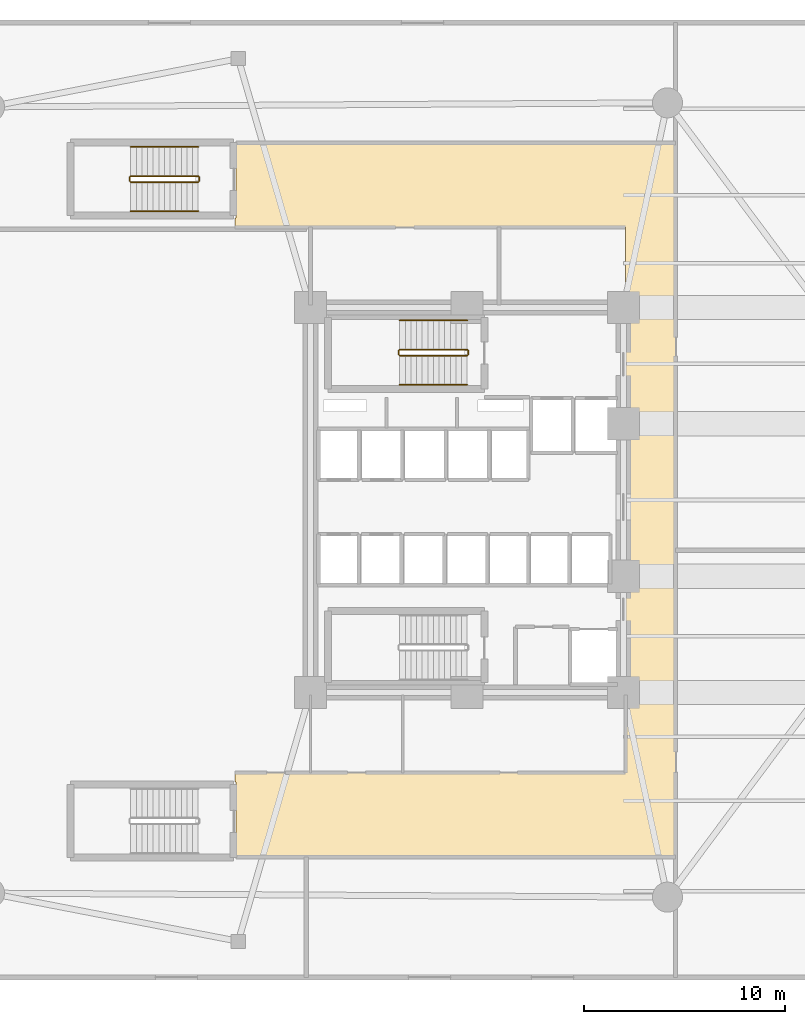
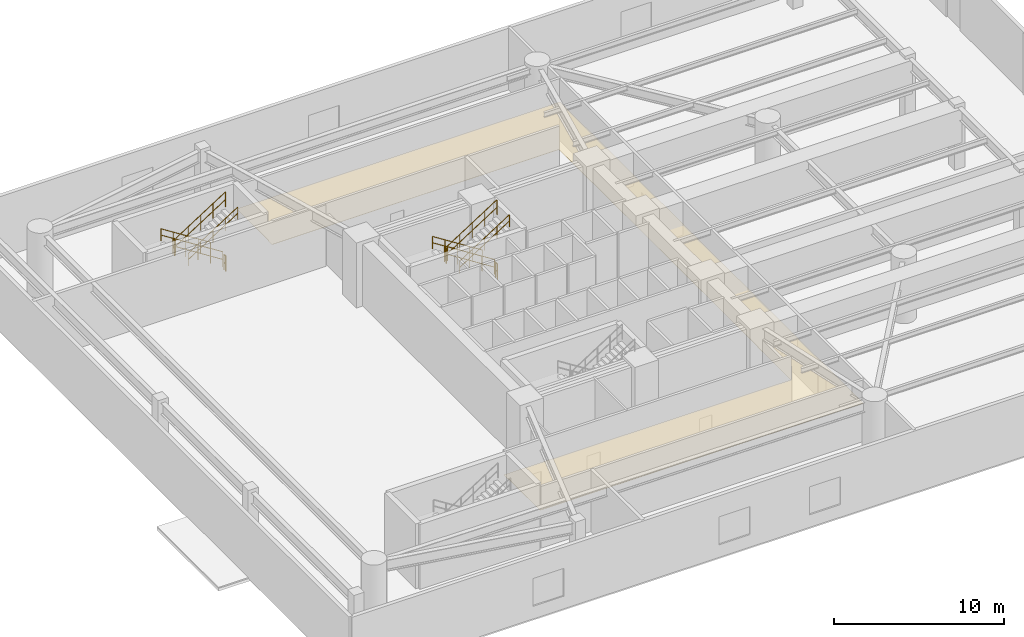
# One storey, part 10 of 11: 12 railings, 1 covering.
"""IFC4 building model written with IfcOpenShell, lengths in metres."""

import ifcopenshell
import ifcopenshell.guid

model = None  # the IFC model being written
_history = None  # IfcOwnerHistory: only IFC2X3 demands one
_inside = {}  # id of a spatial element -> (the spatial element, [elements in it])
_under = {}  # id of a project, library or spatial element -> (it, [spatial elements below it])
_declared = {}  # id of a project -> (the project, [libraries it declares])
_typed = {}  # id of a type object -> (the type object, [elements of that type])
_made_of = {}  # id of a material, layer set ... -> (it, [elements and type objects made of it])


def new_model(schema):
    """Start an empty IFC model of exactly this schema.

    Asked for "IFC4X3", IfcOpenShell would pick the latest addendum, in which some entities
    have other attributes; the version numbers below select the first issue.
    IFC2X3 requires an IfcOwnerHistory on every rooted entity: one is made here for all.
    """
    global model, _history
    if schema == "IFC4X3":
        model = ifcopenshell.file(schema_version=(4, 3, 0, 0))
    else:
        model = ifcopenshell.file(schema=schema)
    _inside.clear()
    _under.clear()
    _declared.clear()
    _typed.clear()
    _made_of.clear()
    _history = None
    if model.schema == "IFC2X3":
        org = make("IfcOrganization", Name="unknown")
        user = make(
            "IfcPersonAndOrganization",
            ThePerson=make("IfcPerson", FamilyName="unknown"),
            TheOrganization=org,
        )
        app = make(
            "IfcApplication",
            ApplicationDeveloper=org,
            Version="unknown",
            ApplicationFullName="unknown",
            ApplicationIdentifier="unknown",
        )
        _history = make(
            "IfcOwnerHistory",
            OwningUser=user,
            OwningApplication=app,
            ChangeAction="ADDED",
            CreationDate=0,
        )
    return model


def make(cls, **values):
    """One entity of the class cls with the attributes given. An attribute that is None is left unset."""
    return model.create_entity(
        cls, **{name: value for name, value in values.items() if value is not None}
    )


def rooted(cls, **values):
    """An entity with a GlobalId (a new one), such as an element, a storey or a relation."""
    return make(cls, GlobalId=ifcopenshell.guid.new(), OwnerHistory=_history, **values)


def si_unit(unit_type, name, prefix=None):
    """IfcSIUnit, for example si_unit("LENGTHUNIT", "METRE", prefix="MILLI")."""
    return make("IfcSIUnit", UnitType=unit_type, Prefix=prefix, Name=name)


def assignment(units):
    """IfcUnitAssignment: the units of a project."""
    return None if units is None else make("IfcUnitAssignment", Units=units)


def point(xyz):
    """IfcCartesianPoint."""
    return None if xyz is None else make("IfcCartesianPoint", Coordinates=xyz)


def direction(xyz):
    """IfcDirection."""
    return None if xyz is None else make("IfcDirection", DirectionRatios=xyz)


def frame(location, z_axis=None, x_axis=None):
    """IfcAxis2Placement3D, a coordinate frame: its origin and axes. An axis left out is left unset."""
    return make(
        "IfcAxis2Placement3D",
        Location=point(location),
        Axis=direction(z_axis),
        RefDirection=direction(x_axis),
    )


def frame_2d(location, x_axis=None):
    """IfcAxis2Placement2D, a coordinate frame in the plane: its origin and x axis."""
    return make(
        "IfcAxis2Placement2D", Location=point(location), RefDirection=direction(x_axis)
    )


def origin():
    """The frame at (0, 0, 0) with its axes left unset."""
    return frame((0.0, 0.0, 0.0))


def origin_2d():
    """The frame at (0, 0) in the plane with its x axis left unset."""
    return frame_2d((0.0, 0.0))


def place(relative_to, where):
    """IfcLocalPlacement: puts the frame where relative to a parent placement (None: the world)."""
    return make(
        "IfcLocalPlacement", PlacementRelTo=relative_to, RelativePlacement=where
    )


def context(
    kind, dimensions, precision=None, world=None, true_north=None, identifier=None
):
    """IfcGeometricRepresentationContext, for example the 3D "Model" context."""
    return make(
        "IfcGeometricRepresentationContext",
        ContextIdentifier=identifier,
        ContextType=kind,
        CoordinateSpaceDimension=dimensions,
        Precision=precision,
        WorldCoordinateSystem=world,
        TrueNorth=true_north,
    )


def subcontext(parent, identifier, kind, view, scale=None):
    """IfcGeometricRepresentationSubContext, for example "Body" below "Model"."""
    return make(
        "IfcGeometricRepresentationSubContext",
        ContextIdentifier=identifier,
        ContextType=kind,
        ParentContext=parent,
        TargetScale=scale,
        TargetView=view,
    )


def project(units=None, contexts=None):
    """IfcProject with its units and contexts."""
    return rooted(
        "IfcProject",
        Name="project",
        RepresentationContexts=contexts,
        UnitsInContext=assignment(units),
    )


def spatial(cls, under=None, at=None, **own):
    """A site, building, storey or space (cls), placed at a placement, below another one or the project."""
    s = rooted(cls, ObjectPlacement=at, **own)
    if under is not None:
        _under.setdefault(under.id(), (under, []))[1].append(s)
    return s


def polyline(points):
    """IfcPolyline through the points."""
    return make("IfcPolyline", Points=[point(p) for p in points])


def profile(cls, at=None, kind="AREA", **sizes):
    """A parametric profile (cls). Its sizes go by their IFC names, for example OverallWidth=200.0."""
    return make(cls, ProfileType=kind, Position=at, **sizes)


def circle(**sizes):
    """IfcCircleProfileDef."""
    return profile("IfcCircleProfileDef", **sizes)


def outline(outer, holes=None, kind="AREA"):
    """IfcArbitraryClosedProfileDef: a profile drawn as a closed curve; with holes, ...WithVoids."""
    if holes is None:
        return make("IfcArbitraryClosedProfileDef", ProfileType=kind, OuterCurve=outer)
    return make(
        "IfcArbitraryProfileDefWithVoids",
        ProfileType=kind,
        OuterCurve=outer,
        InnerCurves=holes,
    )


def extrude(swept, where, along, depth):
    """IfcExtrudedAreaSolid: the profile swept, set in the frame where, extruded along a direction by depth."""
    return make(
        "IfcExtrudedAreaSolid",
        SweptArea=swept,
        Position=where,
        ExtrudedDirection=direction(along),
        Depth=depth,
    )


def shape(context_of_items, identifier, shape_type, items):
    """IfcShapeRepresentation: the items that make up one representation, for example the "Body"."""
    return make(
        "IfcShapeRepresentation",
        ContextOfItems=context_of_items,
        RepresentationIdentifier=identifier,
        RepresentationType=shape_type,
        Items=items,
    )


def material(Name=None, Category=None):
    """IfcMaterial."""
    return make("IfcMaterial", Name=Name, Category=Category)


def layer(
    of_material, thickness, ventilated=None, Name=None, Category=None, Priority=None
):
    """IfcMaterialLayer: one layer of a wall or slab, of a material (None: an air gap)."""
    return make(
        "IfcMaterialLayer",
        Material=of_material,
        LayerThickness=thickness,
        IsVentilated=ventilated,
        Name=Name,
        Category=Category,
        Priority=Priority,
    )


def layer_set(layers, Name=None):
    """IfcMaterialLayerSet."""
    return make("IfcMaterialLayerSet", MaterialLayers=layers, LayerSetName=Name)


def made_of(thing, what):
    """Note that an element or type object is made of a material, layer set ...; save() writes the relation."""
    if what is not None:
        _made_of.setdefault(what.id(), (what, []))[1].append(thing)
    return thing


def type_object(cls, material=None, **own):
    """A type object (cls), such as IfcWallType, which elements share."""
    return made_of(rooted(cls, **own), material)


def element(
    cls,
    number,
    at=None,
    inside=None,
    cuts=None,
    type_object=None,
    material=None,
    context=None,
    identifier="Body",
    shape_type=None,
    held_by="IfcProductDefinitionShape",
    body=None,
    shapes=None,
    **own,
):
    """One element of the class cls, such as IfcWall. Its Tag is "e" and its number.

    at: its placement. inside: the storey or other place that contains it. cuts: it is an
    opening in that element (IfcRelVoidsElement). A single representation is given by context,
    identifier, shape_type and body (its items); several are given by shapes. held_by: the class
    of the entity that holds the representations. save() writes the other relations.
    """
    e = rooted(cls, Tag="e%d" % number, ObjectPlacement=at, **own)
    if body is not None:
        shapes = [shape(context, identifier, shape_type, body)]
    if shapes is not None:
        e.Representation = make(held_by, Representations=shapes)
    if inside is not None:
        _inside.setdefault(inside.id(), (inside, []))[1].append(e)
    if cuts is not None:
        rooted(
            "IfcRelVoidsElement", RelatingBuildingElement=cuts, RelatedOpeningElement=e
        )
    if type_object is not None:
        _typed.setdefault(type_object.id(), (type_object, []))[1].append(e)
    return made_of(e, material)


def aggregate(whole, parts):
    """IfcRelAggregates: a whole, such as a stair, and the parts it consists of."""
    return rooted("IfcRelAggregates", RelatingObject=whole, RelatedObjects=parts)


def save(model, path):
    """Write the relations noted so far, then the file.

    IfcRelAggregates (storeys below a building ...), IfcRelContainedInSpatialStructure (elements
    in a storey), IfcRelDefinesByType, IfcRelAssociatesMaterial and IfcRelDeclares: one each for
    every whole, place, type object, material and project.
    """
    for whole, parts in _under.values():
        aggregate(whole, parts)
    for where, things in _inside.values():
        rooted(
            "IfcRelContainedInSpatialStructure",
            RelatedElements=things,
            RelatingStructure=where,
        )
    for kind, things in _typed.values():
        rooted("IfcRelDefinesByType", RelatedObjects=things, RelatingType=kind)
    for what, things in _made_of.values():
        rooted("IfcRelAssociatesMaterial", RelatedObjects=things, RelatingMaterial=what)
    for by, libraries in _declared.values():
        rooted("IfcRelDeclares", RelatingContext=by, RelatedDefinitions=libraries)
    model.write(path)


model = new_model("IFC4")

# Units and contexts
model_context = context("Model", 3, precision=1e-05, world=origin(), true_north=direction((0.0, 1.0)))
body_context = subcontext(model_context, "Body", "Model", "MODEL_VIEW")
ifc_project = project(units=[si_unit("LENGTHUNIT", "METRE"), si_unit("AREAUNIT", "SQUARE_METRE"), si_unit("VOLUMEUNIT", "CUBIC_METRE"), si_unit("PLANEANGLEUNIT", "RADIAN"), si_unit("MASSUNIT", "GRAM", prefix="KILO")], contexts=[model_context])

# Site, building, storey
site_placement = place(None, origin())
site = spatial("IfcSite", under=ifc_project, at=site_placement, CompositionType="ELEMENT")
building_placement = place(site_placement, origin())
building = spatial("IfcBuilding", under=site, at=building_placement, Name="An Khanh Terracotta Commons", CompositionType="ELEMENT")
storey_placement = place(building_placement, frame((0.0, 0.0, 19.35009765625)))
storey = spatial("IfcBuildingStorey", under=building, at=storey_placement, Name="L05", CompositionType="ELEMENT", Elevation=19.35009765625)

# Covering
ifc_material_1 = material(Name="Perforated Mineral-Fibre Acoustic Tile")
ifc_layer = layer(ifc_material_1, 0.02001953125, Name="Perforated Mineral-Fibre Acoustic Tile")
ifc_layer_set = layer_set([ifc_layer], Name="Perforated Mineral-Fibre Acoustic Tile")
covering_type = type_object("IfcCoveringType", Name="CEIL-ACOUSTIC-18", PredefinedType="CEILING", material=ifc_layer_set)
covering_placement = place(storey_placement, frame((0.0, 0.0, 2.64990234375)))
element("IfcCovering", 1, at=covering_placement, inside=storey, type_object=covering_type, Name="L05 Gallery Ceiling", PredefinedType="CEILING", context=body_context, shape_type="SweptSolid", body=[
    extrude(outline(polyline([(17.889892578125, 6.199951171875), (17.889892578125, 9.93994140625), (17.85009765625, 9.93994140625), (17.85009765625, 10.39990234375), (37.300048828125, 10.39990234375), (37.300048828125, 14.280029296875), (37.320068359375, 14.280029296875), (37.320068359375, 33.719970703125), (37.300048828125, 33.719970703125), (37.300048828125, 37.60009765625), (17.85009765625, 37.60009765625), (17.85009765625, 38.06005859375), (17.889892578125, 38.06005859375), (17.889892578125, 41.800048828125), (39.800048828125, 41.800048828125), (39.800048828125, 40.0), (39.800048828125, 37.60009765625), (39.800048828125, 10.39990234375), (39.800048828125, 8.0), (39.800048828125, 6.199951171875), (17.889892578125, 6.199951171875)])), origin(), (0.0, 0.0, 1.0), 0.02001953125),
])

# Railings
ifc_material_2 = material(Name="Brushed Stainless Steel 316", Category="steel")
railing_type_1 = type_object("IfcRailingType", Name="RAIL-HANDRAIL-900", PredefinedType="HANDRAIL", material=ifc_material_2)
railing_1_placement = place(storey_placement, frame((29.409912109375, 32.949951171875, 0.1787109375)))
element("IfcRailing", 2, at=railing_1_placement, inside=storey, type_object=railing_type_1, Name="L05 ST-01 stair handrail 1", PredefinedType="HANDRAIL", context=body_context, shape_type="SweptSolid", body=[
    extrude(circle(Radius=0.02392578125, at=origin_2d()), frame((0.0, 0.0, 0.8759765625), z_axis=(-0.842734844946, 0.0, 0.538328878209), x_axis=(0.0, -1.0, 0.0)), (0.0, 0.0, 1.0), 3.98681640625),
    extrude(circle(Radius=0.02392578125, at=origin_2d()), frame((0.0, 0.0, 0.42578125), z_axis=(-0.842734844946, 0.0, 0.538328878209), x_axis=(0.0, -1.0, 0.0)), (0.0, 0.0, 1.0), 3.98681640625),
    extrude(circle(Radius=0.02099609375, at=origin_2d()), origin(), (0.0, 0.0, 1.0), 0.851806640625),
    extrude(circle(Radius=0.02099609375, at=origin_2d()), frame((-0.83984375, 0.0, 0.53662109375)), (0.0, 0.0, 1.0), 0.851806640625),
    extrude(circle(Radius=0.02099609375, at=origin_2d()), frame((-1.679931640625, 0.0, 1.0732421875)), (0.0, 0.0, 1.0), 0.851806640625),
    extrude(circle(Radius=0.02099609375, at=origin_2d()), frame((-2.52001953125, 0.0, 1.609619140625)), (0.0, 0.0, 1.0), 0.851806640625),
    extrude(circle(Radius=0.02099609375, at=origin_2d()), frame((-3.35986328125, 0.0, 2.146240234375)), (0.0, 0.0, 1.0), 0.851806640625),
])
railing_2_placement = place(storey_placement, frame((26.050048828125, 29.75, 2.503662109375)))
element("IfcRailing", 3, at=railing_2_placement, inside=storey, type_object=railing_type_1, Name="L05 ST-01 stair handrail 2", PredefinedType="HANDRAIL", context=body_context, shape_type="SweptSolid", body=[
    extrude(circle(Radius=0.02392578125, at=origin_2d()), frame((0.0, 0.0, 0.8759765625), z_axis=(0.842734844946, 0.0, 0.538328878209), x_axis=(0.0, 1.0, 0.0)), (0.0, 0.0, 1.0), 3.98681640625),
    extrude(circle(Radius=0.02392578125, at=origin_2d()), frame((0.0, 0.0, 0.42578125), z_axis=(0.842734844946, 0.0, 0.538328878209), x_axis=(0.0, 1.0, 0.0)), (0.0, 0.0, 1.0), 3.98681640625),
    extrude(circle(Radius=0.02099609375, at=origin_2d()), origin(), (0.0, 0.0, 1.0), 0.851806640625),
    extrude(circle(Radius=0.02099609375, at=origin_2d()), frame((0.83984375, 0.0, 0.53662109375)), (0.0, 0.0, 1.0), 0.851806640625),
    extrude(circle(Radius=0.02099609375, at=origin_2d()), frame((1.679931640625, 0.0, 1.0732421875)), (0.0, 0.0, 1.0), 0.851806640625),
    extrude(circle(Radius=0.02099609375, at=origin_2d()), frame((2.52001953125, 0.0, 1.609619140625)), (0.0, 0.0, 1.0), 0.851806640625),
    extrude(circle(Radius=0.02099609375, at=origin_2d()), frame((3.35986328125, 0.0, 2.146240234375)), (0.0, 0.0, 1.0), 0.851806640625),
])
railing_3_placement = place(storey_placement, frame((16.0, 41.60009765625, 0.1787109375)))
element("IfcRailing", 4, at=railing_3_placement, inside=storey, type_object=railing_type_1, Name="L05 ST-P2 stair handrail 1", PredefinedType="HANDRAIL", context=body_context, shape_type="SweptSolid", body=[
    extrude(circle(Radius=0.02392578125, at=origin_2d()), frame((0.0, 0.0, 0.8759765625), z_axis=(-0.842752589747, 0.0, 0.538301098341), x_axis=(0.0, -1.0, 0.0)), (0.0, 0.0, 1.0), 3.987060546875),
    extrude(circle(Radius=0.02392578125, at=origin_2d()), frame((0.0, 0.0, 0.42578125), z_axis=(-0.842752589747, 0.0, 0.538301098341), x_axis=(0.0, -1.0, 0.0)), (0.0, 0.0, 1.0), 3.987060546875),
    extrude(circle(Radius=0.02099609375, at=origin_2d()), origin(), (0.0, 0.0, 1.0), 0.851806640625),
    extrude(circle(Radius=0.02099609375, at=origin_2d()), frame((-0.840087890625, 0.0, 0.53662109375)), (0.0, 0.0, 1.0), 0.851806640625),
    extrude(circle(Radius=0.02099609375, at=origin_2d()), frame((-1.68017578125, 0.0, 1.0732421875)), (0.0, 0.0, 1.0), 0.851806640625),
    extrude(circle(Radius=0.02099609375, at=origin_2d()), frame((-2.52001953125, 0.0, 1.609619140625)), (0.0, 0.0, 1.0), 0.851806640625),
    extrude(circle(Radius=0.02099609375, at=origin_2d()), frame((-3.360107421875, 0.0, 2.146240234375)), (0.0, 0.0, 1.0), 0.851806640625),
])
railing_4_placement = place(storey_placement, frame((12.639892578125, 38.39990234375, 2.503662109375)))
element("IfcRailing", 5, at=railing_4_placement, inside=storey, type_object=railing_type_1, Name="L05 ST-P2 stair handrail 2", PredefinedType="HANDRAIL", context=body_context, shape_type="SweptSolid", body=[
    extrude(circle(Radius=0.02392578125, at=origin_2d()), frame((0.0, 0.0, 0.8759765625), z_axis=(0.842752589747, 0.0, 0.538301098341), x_axis=(0.0, 1.0, 0.0)), (0.0, 0.0, 1.0), 3.987060546875),
    extrude(circle(Radius=0.02392578125, at=origin_2d()), frame((0.0, 0.0, 0.42578125), z_axis=(0.842752589747, 0.0, 0.538301098341), x_axis=(0.0, 1.0, 0.0)), (0.0, 0.0, 1.0), 3.987060546875),
    extrude(circle(Radius=0.02099609375, at=origin_2d()), origin(), (0.0, 0.0, 1.0), 0.851806640625),
    extrude(circle(Radius=0.02099609375, at=origin_2d()), frame((0.840087890625, 0.0, 0.53662109375)), (0.0, 0.0, 1.0), 0.851806640625),
    extrude(circle(Radius=0.02099609375, at=origin_2d()), frame((1.68017578125, 0.0, 1.0732421875)), (0.0, 0.0, 1.0), 0.851806640625),
    extrude(circle(Radius=0.02099609375, at=origin_2d()), frame((2.52001953125, 0.0, 1.609619140625)), (0.0, 0.0, 1.0), 0.851806640625),
    extrude(circle(Radius=0.02099609375, at=origin_2d()), frame((3.360107421875, 0.0, 2.146240234375)), (0.0, 0.0, 1.0), 0.851806640625),
])
ifc_material_3 = material(Name="Powder-Coated Steel S355J2", Category="steel")
railing_type_2 = type_object("IfcRailingType", Name="RAIL-STAIR-GUARD-1100", PredefinedType="BALUSTRADE", material=ifc_material_3)
railing_5_placement = place(storey_placement, frame((29.409912109375, 31.5, 0.1787109375)))
element("IfcRailing", 6, at=railing_5_placement, inside=storey, type_object=railing_type_2, Name="L05 ST-01 stair guard 1", PredefinedType="BALUSTRADE", context=body_context, shape_type="SweptSolid", body=[
    extrude(circle(Radius=0.02392578125, at=origin_2d()), frame((0.0, 0.0, 1.076171875), z_axis=(-0.842734844946, 0.0, 0.538328878209), x_axis=(0.0, -1.0, 0.0)), (0.0, 0.0, 1.0), 3.98681640625),
    extrude(circle(Radius=0.02392578125, at=origin_2d()), frame((0.0, 0.0, 0.52587890625), z_axis=(-0.842734844946, 0.0, 0.538328878209), x_axis=(0.0, -1.0, 0.0)), (0.0, 0.0, 1.0), 3.98681640625),
    extrude(circle(Radius=0.02099609375, at=origin_2d()), origin(), (0.0, 0.0, 1.0), 1.052001953125),
    extrude(circle(Radius=0.02099609375, at=origin_2d()), frame((-0.83984375, 0.0, 0.53662109375)), (0.0, 0.0, 1.0), 1.052001953125),
    extrude(circle(Radius=0.02099609375, at=origin_2d()), frame((-1.679931640625, 0.0, 1.0732421875)), (0.0, 0.0, 1.0), 1.052001953125),
    extrude(circle(Radius=0.02099609375, at=origin_2d()), frame((-2.52001953125, 0.0, 1.609619140625)), (0.0, 0.0, 1.0), 1.052001953125),
    extrude(circle(Radius=0.02099609375, at=origin_2d()), frame((-3.35986328125, 0.0, 2.146240234375)), (0.0, 0.0, 1.0), 1.052001953125),
])
railing_6_placement = place(storey_placement, frame((26.0, 31.449951171875, 2.324951171875)))
element("IfcRailing", 7, at=railing_6_placement, inside=storey, type_object=railing_type_2, Name="L05 ST-01 stair guard 2", PredefinedType="BALUSTRADE", context=body_context, shape_type="SweptSolid", body=[
    extrude(circle(Radius=0.02392578125, at=origin_2d()), frame((0.0, 0.0, 1.076171875), z_axis=(0.0, -1.0, 0.0), x_axis=(1.0, 0.0, 0.0)), (0.0, 0.0, 1.0), 0.199951171875),
    extrude(circle(Radius=0.02392578125, at=origin_2d()), frame((0.0, 0.0, 0.52587890625), z_axis=(0.0, -1.0, 0.0), x_axis=(1.0, 0.0, 0.0)), (0.0, 0.0, 1.0), 0.199951171875),
    extrude(circle(Radius=0.02099609375, at=origin_2d()), origin(), (0.0, 0.0, 1.0), 1.052001953125),
    extrude(circle(Radius=0.02099609375, at=origin_2d()), frame((0.0, -0.199951171875, 0.0)), (0.0, 0.0, 1.0), 1.052001953125),
])
railing_7_placement = place(storey_placement, frame((26.050048828125, 31.199951171875, 2.503662109375)))
element("IfcRailing", 8, at=railing_7_placement, inside=storey, type_object=railing_type_2, Name="L05 ST-01 stair guard 3", PredefinedType="BALUSTRADE", context=body_context, shape_type="SweptSolid", body=[
    extrude(circle(Radius=0.02392578125, at=origin_2d()), frame((0.0, 0.0, 1.076171875), z_axis=(0.842734844946, 0.0, 0.538328878209), x_axis=(0.0, 1.0, 0.0)), (0.0, 0.0, 1.0), 3.98681640625),
    extrude(circle(Radius=0.02392578125, at=origin_2d()), frame((0.0, 0.0, 0.52587890625), z_axis=(0.842734844946, 0.0, 0.538328878209), x_axis=(0.0, 1.0, 0.0)), (0.0, 0.0, 1.0), 3.98681640625),
    extrude(circle(Radius=0.02099609375, at=origin_2d()), origin(), (0.0, 0.0, 1.0), 1.052001953125),
    extrude(circle(Radius=0.02099609375, at=origin_2d()), frame((0.83984375, 0.0, 0.53662109375)), (0.0, 0.0, 1.0), 1.052001953125),
    extrude(circle(Radius=0.02099609375, at=origin_2d()), frame((1.679931640625, 0.0, 1.0732421875)), (0.0, 0.0, 1.0), 1.052001953125),
    extrude(circle(Radius=0.02099609375, at=origin_2d()), frame((2.52001953125, 0.0, 1.609619140625)), (0.0, 0.0, 1.0), 1.052001953125),
    extrude(circle(Radius=0.02099609375, at=origin_2d()), frame((3.35986328125, 0.0, 2.146240234375)), (0.0, 0.0, 1.0), 1.052001953125),
])
railing_8_placement = place(storey_placement, frame((29.4599609375, 31.449951171875, 0.0)))
element("IfcRailing", 9, at=railing_8_placement, inside=storey, type_object=railing_type_2, Name="L05 ST-01 stair guard 4", PredefinedType="BALUSTRADE", context=body_context, shape_type="SweptSolid", body=[
    extrude(circle(Radius=0.02392578125, at=origin_2d()), frame((0.0, 0.0, 1.076171875), z_axis=(0.0, -1.0, 0.0), x_axis=(1.0, 0.0, 0.0)), (0.0, 0.0, 1.0), 0.199951171875),
    extrude(circle(Radius=0.02392578125, at=origin_2d()), frame((0.0, 0.0, 0.52587890625), z_axis=(0.0, -1.0, 0.0), x_axis=(1.0, 0.0, 0.0)), (0.0, 0.0, 1.0), 0.199951171875),
    extrude(circle(Radius=0.02099609375, at=origin_2d()), origin(), (0.0, 0.0, 1.0), 1.052001953125),
    extrude(circle(Radius=0.02099609375, at=origin_2d()), frame((0.0, -0.199951171875, 0.0)), (0.0, 0.0, 1.0), 1.052001953125),
])
railing_9_placement = place(storey_placement, frame((16.0, 40.14990234375, 0.1787109375)))
element("IfcRailing", 10, at=railing_9_placement, inside=storey, type_object=railing_type_2, Name="L05 ST-P2 stair guard 1", PredefinedType="BALUSTRADE", context=body_context, shape_type="SweptSolid", body=[
    extrude(circle(Radius=0.02392578125, at=origin_2d()), frame((0.0, 0.0, 1.076171875), z_axis=(-0.842752589747, 0.0, 0.538301098341), x_axis=(0.0, -1.0, 0.0)), (0.0, 0.0, 1.0), 3.987060546875),
    extrude(circle(Radius=0.02392578125, at=origin_2d()), frame((0.0, 0.0, 0.52587890625), z_axis=(-0.842752589747, 0.0, 0.538301098341), x_axis=(0.0, -1.0, 0.0)), (0.0, 0.0, 1.0), 3.987060546875),
    extrude(circle(Radius=0.02099609375, at=origin_2d()), origin(), (0.0, 0.0, 1.0), 1.052001953125),
    extrude(circle(Radius=0.02099609375, at=origin_2d()), frame((-0.840087890625, 0.0, 0.53662109375)), (0.0, 0.0, 1.0), 1.052001953125),
    extrude(circle(Radius=0.02099609375, at=origin_2d()), frame((-1.68017578125, 0.0, 1.0732421875)), (0.0, 0.0, 1.0), 1.052001953125),
    extrude(circle(Radius=0.02099609375, at=origin_2d()), frame((-2.52001953125, 0.0, 1.609619140625)), (0.0, 0.0, 1.0), 1.052001953125),
    extrude(circle(Radius=0.02099609375, at=origin_2d()), frame((-3.360107421875, 0.0, 2.146240234375)), (0.0, 0.0, 1.0), 1.052001953125),
])
railing_10_placement = place(storey_placement, frame((12.590087890625, 40.10009765625, 2.324951171875)))
element("IfcRailing", 11, at=railing_10_placement, inside=storey, type_object=railing_type_2, Name="L05 ST-P2 stair guard 2", PredefinedType="BALUSTRADE", context=body_context, shape_type="SweptSolid", body=[
    extrude(circle(Radius=0.02392578125, at=origin_2d()), frame((0.0, 0.0, 1.076171875), z_axis=(0.0, -1.0, 0.0), x_axis=(1.0, 0.0, 0.0)), (0.0, 0.0, 1.0), 0.2001953125),
    extrude(circle(Radius=0.02392578125, at=origin_2d()), frame((0.0, 0.0, 0.52587890625), z_axis=(0.0, -1.0, 0.0), x_axis=(1.0, 0.0, 0.0)), (0.0, 0.0, 1.0), 0.2001953125),
    extrude(circle(Radius=0.02099609375, at=origin_2d()), origin(), (0.0, 0.0, 1.0), 1.052001953125),
    extrude(circle(Radius=0.02099609375, at=origin_2d()), frame((0.0, -0.2001953125, 0.0)), (0.0, 0.0, 1.0), 1.052001953125),
])
railing_11_placement = place(storey_placement, frame((12.639892578125, 39.85009765625, 2.503662109375)))
element("IfcRailing", 12, at=railing_11_placement, inside=storey, type_object=railing_type_2, Name="L05 ST-P2 stair guard 3", PredefinedType="BALUSTRADE", context=body_context, shape_type="SweptSolid", body=[
    extrude(circle(Radius=0.02392578125, at=origin_2d()), frame((0.0, 0.0, 1.076171875), z_axis=(0.842752589747, 0.0, 0.538301098341), x_axis=(0.0, 1.0, 0.0)), (0.0, 0.0, 1.0), 3.987060546875),
    extrude(circle(Radius=0.02392578125, at=origin_2d()), frame((0.0, 0.0, 0.52587890625), z_axis=(0.842752589747, 0.0, 0.538301098341), x_axis=(0.0, 1.0, 0.0)), (0.0, 0.0, 1.0), 3.987060546875),
    extrude(circle(Radius=0.02099609375, at=origin_2d()), origin(), (0.0, 0.0, 1.0), 1.052001953125),
    extrude(circle(Radius=0.02099609375, at=origin_2d()), frame((0.840087890625, 0.0, 0.53662109375)), (0.0, 0.0, 1.0), 1.052001953125),
    extrude(circle(Radius=0.02099609375, at=origin_2d()), frame((1.68017578125, 0.0, 1.0732421875)), (0.0, 0.0, 1.0), 1.052001953125),
    extrude(circle(Radius=0.02099609375, at=origin_2d()), frame((2.52001953125, 0.0, 1.609619140625)), (0.0, 0.0, 1.0), 1.052001953125),
    extrude(circle(Radius=0.02099609375, at=origin_2d()), frame((3.360107421875, 0.0, 2.146240234375)), (0.0, 0.0, 1.0), 1.052001953125),
])
railing_12_placement = place(storey_placement, frame((16.050048828125, 40.10009765625, 0.0)))
element("IfcRailing", 13, at=railing_12_placement, inside=storey, type_object=railing_type_2, Name="L05 ST-P2 stair guard 4", PredefinedType="BALUSTRADE", context=body_context, shape_type="SweptSolid", body=[
    extrude(circle(Radius=0.02392578125, at=origin_2d()), frame((0.0, 0.0, 1.076171875), z_axis=(0.0, -1.0, 0.0), x_axis=(1.0, 0.0, 0.0)), (0.0, 0.0, 1.0), 0.2001953125),
    extrude(circle(Radius=0.02392578125, at=origin_2d()), frame((0.0, 0.0, 0.52587890625), z_axis=(0.0, -1.0, 0.0), x_axis=(1.0, 0.0, 0.0)), (0.0, 0.0, 1.0), 0.2001953125),
    extrude(circle(Radius=0.02099609375, at=origin_2d()), origin(), (0.0, 0.0, 1.0), 1.052001953125),
    extrude(circle(Radius=0.02099609375, at=origin_2d()), frame((0.0, -0.2001953125, 0.0)), (0.0, 0.0, 1.0), 1.052001953125),
])

save(model, "model.ifc")
